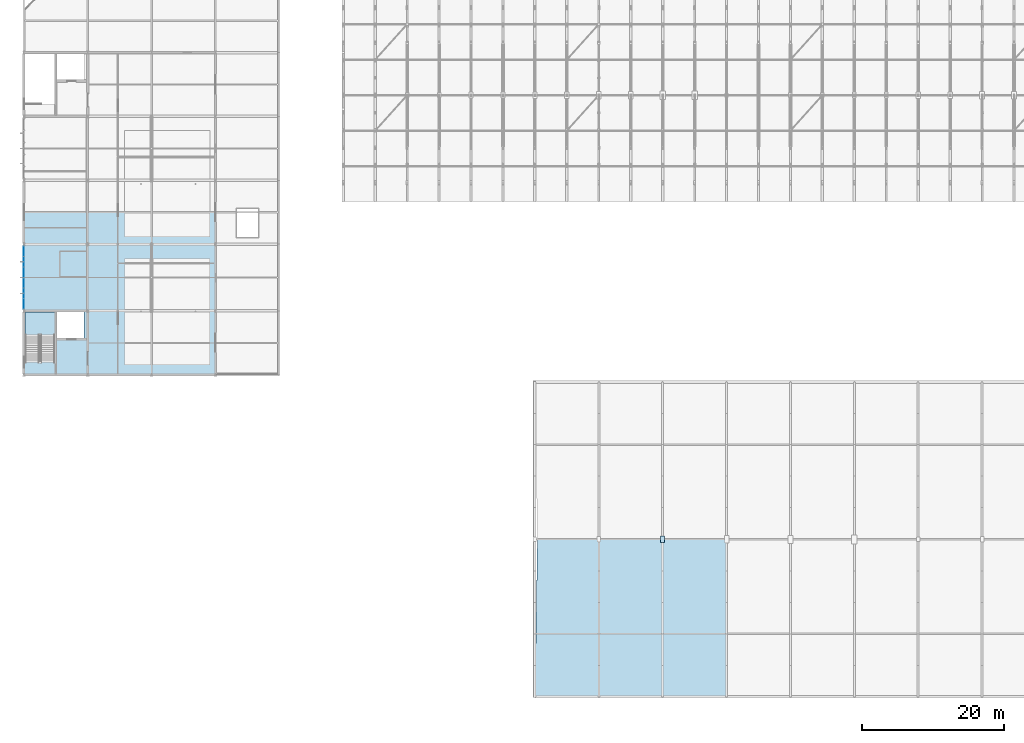
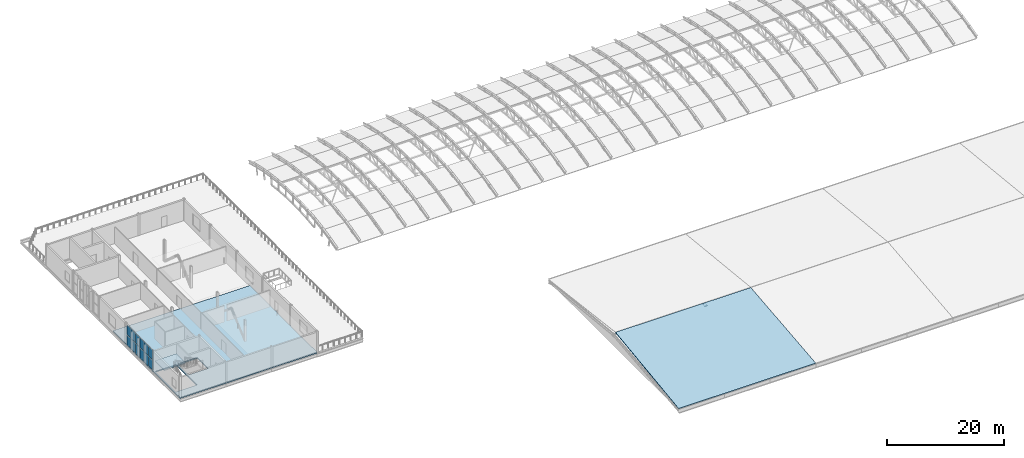
# One storey, part 30 of 53: 13 plates, 3 slabs, 2 elements without a shape of their own.
"""IFC4 building model written with IfcOpenShell, lengths in metres."""

from ifc_helpers import new_model, si_unit, direction, frame, origin, origin_2d, place, context, subcontext, project, spatial, polyline, rectangle, outline, extrude, material, layer, layer_set, type_object, element, aggregate, save


model = new_model("IFC4")

# Units and contexts
model_context = context("Model", 3, precision=1e-05, world=origin(), true_north=direction((0.0, 1.0)))
body_context = subcontext(model_context, "Body", "Model", "MODEL_VIEW")
ifc_project = project(units=[si_unit("LENGTHUNIT", "METRE"), si_unit("AREAUNIT", "SQUARE_METRE"), si_unit("VOLUMEUNIT", "CUBIC_METRE"), si_unit("PLANEANGLEUNIT", "RADIAN"), si_unit("MASSUNIT", "GRAM", prefix="KILO")], contexts=[model_context])

# Site, building, storey
site_placement = place(None, origin())
site = spatial("IfcSite", under=ifc_project, at=site_placement, CompositionType="ELEMENT")
building_placement = place(site_placement, origin())
building = spatial("IfcBuilding", under=site, at=building_placement, Name="Cazmaro Siding Exhibition Halls", CompositionType="ELEMENT")
storey_placement = place(building_placement, frame((0.0, 0.0, 21.0)))
storey = spatial("IfcBuildingStorey", under=building, at=storey_placement, Name="L04", CompositionType="ELEMENT", Elevation=21.0)

# Curtain wall, plates
ifc_material_1 = material(Name="Anodized Bronze Aluminum and Solar-Control Low-E Glazing", Category="aluminium")
ifc_layer_1 = layer(ifc_material_1, 0.199951171875)
ifc_layer_set_1 = layer_set([ifc_layer_1], Name="Anodized Bronze Aluminum and Solar-Control Low-E Glazing")
curtain_wall_type = type_object("IfcCurtainWallType", Name="CWS-02", PredefinedType="USERDEFINED", material=ifc_layer_set_1)
curtain_wall_placement = place(storey_placement, origin())
curtain_wall = element("IfcCurtainWall", 1, at=curtain_wall_placement, inside=storey, type_object=curtain_wall_type, Name="Glazed Curtain Wall CWS-02 CW-256", ObjectType="GLAZED CURTAIN WALL", PredefinedType="USERDEFINED")
ifc_material_2 = material(Name="Solar-Control Low-E Double Insulating Glass", Category="glass")
ifc_layer_2 = layer(ifc_material_2, 0.035888671875)
ifc_layer_set_2 = layer_set([ifc_layer_2], Name="Solar-Control Low-E Double Insulating Glass")
plate_type_1 = type_object("IfcPlateType", Name="CWP-02", PredefinedType="CURTAIN_PANEL", material=ifc_layer_set_2)
plate_1_placement = place(storey_placement, frame((0.0, 72.0078125, 0.06494140625), z_axis=(0.0, 0.0, 1.0), x_axis=(0.0, -1.0, 0.0)))
plate_1 = element("IfcPlate", 2, at=plate_1_placement, type_object=plate_type_1, Name="CWS-02 panel 1.1", PredefinedType="CURTAIN_PANEL", context=body_context, shape_type="SweptSolid", body=[
    extrude(rectangle(XDim=1.39208984375, YDim=0.035888671875, at=origin_2d()), origin(), (0.0, 0.0, 1.0), 2.047607421875),
])
plate_2_placement = place(storey_placement, frame((0.0, 72.0078125, 2.17724609375), z_axis=(0.0, 0.0, 1.0), x_axis=(0.0, -1.0, 0.0)))
plate_2 = element("IfcPlate", 3, at=plate_2_placement, type_object=plate_type_1, Name="CWS-02 panel 1.2", PredefinedType="CURTAIN_PANEL", context=body_context, shape_type="SweptSolid", body=[
    extrude(rectangle(XDim=1.39208984375, YDim=0.035888671875, at=origin_2d()), origin(), (0.0, 0.0, 1.0), 2.047607421875),
])
plate_3_placement = place(storey_placement, frame((0.0, 70.534423828125, 0.06494140625), z_axis=(0.0, 0.0, 1.0), x_axis=(0.0, -1.0, 0.0)))
plate_3 = element("IfcPlate", 4, at=plate_3_placement, type_object=plate_type_1, Name="CWS-02 panel 2.1", PredefinedType="CURTAIN_PANEL", context=body_context, shape_type="SweptSolid", body=[
    extrude(rectangle(XDim=1.424560546875, YDim=0.035888671875, at=origin_2d()), origin(), (0.0, 0.0, 1.0), 2.047607421875),
])
plate_4_placement = place(storey_placement, frame((0.0, 70.534423828125, 2.17724609375), z_axis=(0.0, 0.0, 1.0), x_axis=(0.0, -1.0, 0.0)))
plate_4 = element("IfcPlate", 5, at=plate_4_placement, type_object=plate_type_1, Name="CWS-02 panel 2.2", PredefinedType="CURTAIN_PANEL", context=body_context, shape_type="SweptSolid", body=[
    extrude(rectangle(XDim=1.424560546875, YDim=0.035888671875, at=origin_2d()), origin(), (0.0, 0.0, 1.0), 2.047607421875),
])
plate_5_placement = place(storey_placement, frame((0.0, 69.044921875, 0.06494140625), z_axis=(0.0, 0.0, 1.0), x_axis=(0.0, -1.0, 0.0)))
plate_5 = element("IfcPlate", 6, at=plate_5_placement, type_object=plate_type_1, Name="CWS-02 panel 3.1", PredefinedType="CURTAIN_PANEL", context=body_context, shape_type="SweptSolid", body=[
    extrude(rectangle(XDim=1.424560546875, YDim=0.035888671875, at=origin_2d()), origin(), (0.0, 0.0, 1.0), 2.047607421875),
])
plate_6_placement = place(storey_placement, frame((0.0, 69.044921875, 2.17724609375), z_axis=(0.0, 0.0, 1.0), x_axis=(0.0, -1.0, 0.0)))
plate_6 = element("IfcPlate", 7, at=plate_6_placement, type_object=plate_type_1, Name="CWS-02 panel 3.2", PredefinedType="CURTAIN_PANEL", context=body_context, shape_type="SweptSolid", body=[
    extrude(rectangle(XDim=1.424560546875, YDim=0.035888671875, at=origin_2d()), origin(), (0.0, 0.0, 1.0), 2.047607421875),
])
plate_7_placement = place(storey_placement, frame((0.0, 67.55517578125, 0.06494140625), z_axis=(0.0, 0.0, 1.0), x_axis=(0.0, -1.0, 0.0)))
plate_7 = element("IfcPlate", 8, at=plate_7_placement, type_object=plate_type_1, Name="CWS-02 panel 4.1", PredefinedType="CURTAIN_PANEL", context=body_context, shape_type="SweptSolid", body=[
    extrude(rectangle(XDim=1.424560546875, YDim=0.035888671875, at=origin_2d()), origin(), (0.0, 0.0, 1.0), 2.047607421875),
])
plate_8_placement = place(storey_placement, frame((0.0, 67.55517578125, 2.17724609375), z_axis=(0.0, 0.0, 1.0), x_axis=(0.0, -1.0, 0.0)))
plate_8 = element("IfcPlate", 9, at=plate_8_placement, type_object=plate_type_1, Name="CWS-02 panel 4.2", PredefinedType="CURTAIN_PANEL", context=body_context, shape_type="SweptSolid", body=[
    extrude(rectangle(XDim=1.424560546875, YDim=0.035888671875, at=origin_2d()), origin(), (0.0, 0.0, 1.0), 2.047607421875),
])
plate_9_placement = place(storey_placement, frame((0.0, 66.0654296875, 0.06494140625), z_axis=(0.0, 0.0, 1.0), x_axis=(0.0, -1.0, 0.0)))
plate_9 = element("IfcPlate", 10, at=plate_9_placement, type_object=plate_type_1, Name="CWS-02 panel 5.1", PredefinedType="CURTAIN_PANEL", context=body_context, shape_type="SweptSolid", body=[
    extrude(rectangle(XDim=1.424560546875, YDim=0.035888671875, at=origin_2d()), origin(), (0.0, 0.0, 1.0), 2.047607421875),
])
plate_10_placement = place(storey_placement, frame((0.0, 66.0654296875, 2.17724609375), z_axis=(0.0, 0.0, 1.0), x_axis=(0.0, -1.0, 0.0)))
plate_10 = element("IfcPlate", 11, at=plate_10_placement, type_object=plate_type_1, Name="CWS-02 panel 5.2", PredefinedType="CURTAIN_PANEL", context=body_context, shape_type="SweptSolid", body=[
    extrude(rectangle(XDim=1.424560546875, YDim=0.035888671875, at=origin_2d()), origin(), (0.0, 0.0, 1.0), 2.047607421875),
])
plate_11_placement = place(storey_placement, frame((0.0, 64.592041015625, 0.06494140625), z_axis=(0.0, 0.0, 1.0), x_axis=(0.0, -1.0, 0.0)))
plate_11 = element("IfcPlate", 12, at=plate_11_placement, type_object=plate_type_1, Name="CWS-02 panel 6.1", PredefinedType="CURTAIN_PANEL", context=body_context, shape_type="SweptSolid", body=[
    extrude(rectangle(XDim=1.39208984375, YDim=0.035888671875, at=origin_2d()), origin(), (0.0, 0.0, 1.0), 2.047607421875),
])
plate_12_placement = place(storey_placement, frame((0.0, 64.592041015625, 2.17724609375), z_axis=(0.0, 0.0, 1.0), x_axis=(0.0, -1.0, 0.0)))
plate_12 = element("IfcPlate", 13, at=plate_12_placement, type_object=plate_type_1, Name="CWS-02 panel 6.2", PredefinedType="CURTAIN_PANEL", context=body_context, shape_type="SweptSolid", body=[
    extrude(rectangle(XDim=1.39208984375, YDim=0.035888671875, at=origin_2d()), origin(), (0.0, 0.0, 1.0), 2.047607421875),
])
aggregate(curtain_wall, [plate_1, plate_2, plate_3, plate_4, plate_5, plate_6, plate_7, plate_8, plate_9, plate_10, plate_11, plate_12])

# Slab
ifc_material_3 = material(Name="Concrete f'c 35 MPa", Category="concrete")
ifc_layer_3 = layer(ifc_material_3, 0.219970703125)
ifc_layer_set_3 = layer_set([ifc_layer_3], Name="Concrete f'c 35 MPa")
slab_type_1 = type_object("IfcSlabType", Name="FS-01", PredefinedType="FLOOR", material=ifc_layer_set_3)
slab_1_placement = place(storey_placement, frame((0.0, 0.0, -0.219970703125)))
element("IfcSlab", 14, at=slab_1_placement, inside=storey, type_object=slab_type_1, Name="West Wing South L04 FS-01 SLB-0042", PredefinedType="FLOOR", context=body_context, shape_type="SweptSolid", body=[
    extrude(outline(polyline([(0.0, 54.60009765625), (27.0, 54.60009765625), (27.0, 77.5), (0.0, 77.5), (0.0, 54.60009765625)]), holes=[polyline([(0.179931640625, 56.3798828125), (4.375, 56.3798828125), (4.375, 63.419921875), (0.179931640625, 63.419921875), (0.179931640625, 56.3798828125)]), polyline([(4.625, 59.719970703125), (8.47998046875, 59.719970703125), (8.47998046875, 63.419921875), (4.625, 63.419921875), (4.625, 59.719970703125)])]), origin(), (0.0, 0.0, 1.0), 0.219970703125),
])

# Plate
ifc_material_4 = material(Name="Steel ASTM A572 Grade 50", Category="steel")
ifc_layer_4 = layer(ifc_material_4, 0.031982421875)
ifc_layer_set_4 = layer_set([ifc_layer_4], Name="Steel ASTM A572 Grade 50")
plate_type_2 = type_object("IfcPlateType", Name="GP-09", PredefinedType="USERDEFINED", material=ifc_layer_set_4)
plate_13_placement = place(storey_placement, frame((90.0, 31.425048828125, 1.833984375), z_axis=(0.0, 0.0, 1.0), x_axis=(0.0, 1.0, 0.0)))
element("IfcPlate", 15, at=plate_13_placement, inside=storey, type_object=plate_type_2, Name="Warren truss ridge gusset plate GP-09 node TN-03", ObjectType="GUSSET PLATE", PredefinedType="USERDEFINED", context=body_context, shape_type="SweptSolid", body=[
    extrude(rectangle(XDim=0.89990234375, YDim=0.580078125, at=origin_2d()), origin(), (0.0, 0.0, 1.0), 0.031982421875),
])

# Stair, slab
ifc_material_5 = material(Name="Concrete f'c 40 MPa", Category="concrete")
stair_type = type_object("IfcStairType", Name="STT-17", PredefinedType="TWO_STRAIGHT_RUN_STAIR", material=ifc_material_5)
stair_placement = place(storey_placement, origin())
stair = element("IfcStair", 16, at=stair_placement, inside=storey, type_object=stair_type, Name="Core C7 Exit Stair L04-RF ST-17", PredefinedType="TWO_STRAIGHT_RUN_STAIR")
ifc_material_6 = material(Name="Concrete f'c 40 MPa", Category="concrete")
ifc_layer_5 = layer(ifc_material_6, 0.199951171875)
ifc_layer_set_5 = layer_set([ifc_layer_5], Name="Concrete f'c 40 MPa")
slab_type_2 = type_object("IfcSlabType", Name="LND-17", PredefinedType="LANDING", material=ifc_layer_set_5)
slab_2_placement = place(storey_placement, frame((0.0, 0.0, 2.050048828125)))
slab_2 = element("IfcSlab", 17, at=slab_2_placement, type_object=slab_type_2, Name="ST-17 landing 1", PredefinedType="LANDING", context=body_context, shape_type="SweptSolid", body=[
    extrude(outline(polyline([(0.175048828125, 60.239990234375), (4.3798828125, 60.239990234375), (4.3798828125, 63.425048828125), (0.175048828125, 63.425048828125), (0.175048828125, 60.239990234375)])), origin(), (0.0, 0.0, 1.0), 0.199951171875),
])
aggregate(stair, [slab_2])

# Slab
ifc_material_7 = material(Name="Concrete f'c 35 MPa", Category="concrete")
ifc_layer_6 = layer(ifc_material_7, 0.159912109375)
ifc_layer_set_6 = layer_set([ifc_layer_6], Name="Concrete f'c 35 MPa")
slab_type_3 = type_object("IfcSlabType", Name="RS-01", PredefinedType="ROOF", material=ifc_layer_set_6)
slab_3_placement = place(storey_placement, frame((72.0, 9.25, 0.0), z_axis=(0.0, -0.104524367728, 0.994522325818), x_axis=(1.0, 0.0, 0.0)))
element("IfcSlab", 18, at=slab_3_placement, inside=storey, type_object=slab_type_3, Name="Hall B2 Warren South Roof Panel 1 RS-01 SLB-0071", PredefinedType="ROOF", context=body_context, shape_type="SweptSolid", body=[
    extrude(outline(polyline([(0.0, 0.0), (27.0, 0.0), (27.0, 22.26183566055885), (0.35009765625, 22.26183566055885), (0.0, 0.0)])), origin(), (0.0, 0.0, -1.0), 0.159912109375),
])

save(model, "model.ifc")
